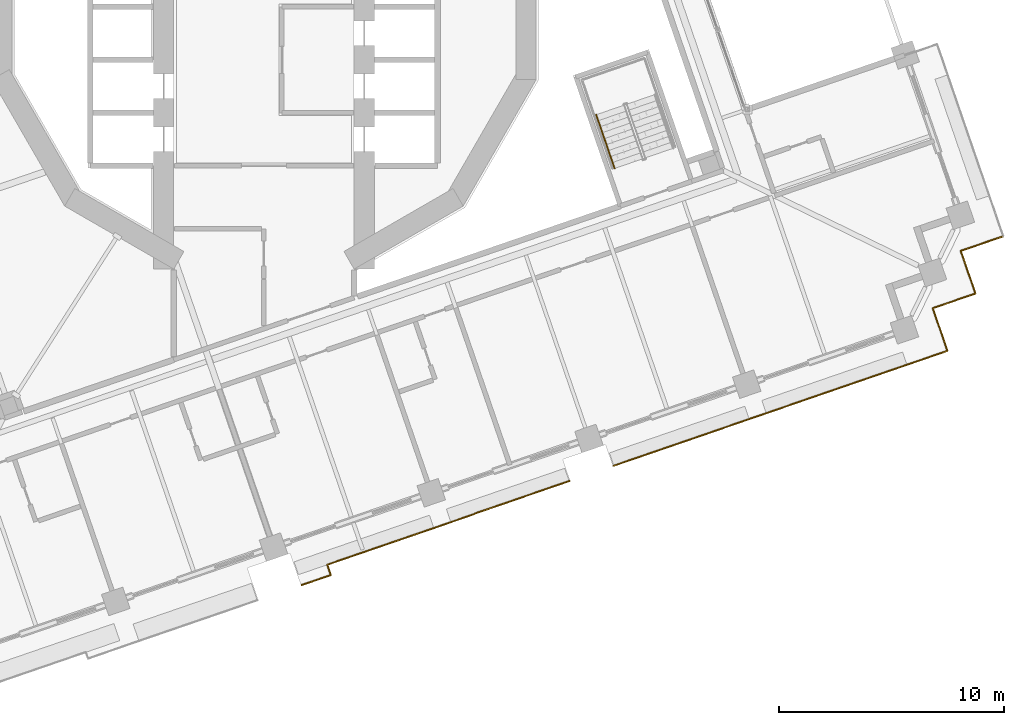
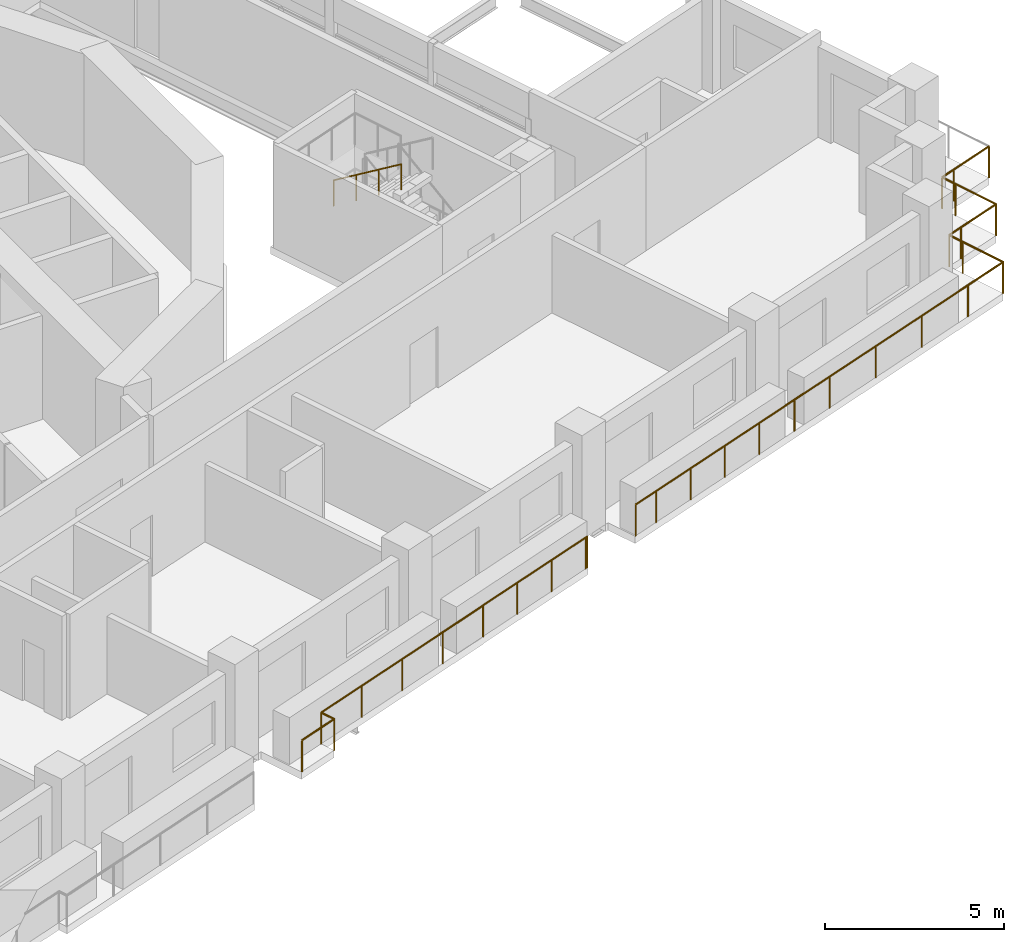
# One storey, part 17 of 21: 3 railings.
"""IFC4 building model written with IfcOpenShell, lengths in metres."""

import ifcopenshell
import ifcopenshell.guid

model = None  # the IFC model being written
_history = None  # IfcOwnerHistory: only IFC2X3 demands one
_inside = {}  # id of a spatial element -> (the spatial element, [elements in it])
_under = {}  # id of a project, library or spatial element -> (it, [spatial elements below it])
_declared = {}  # id of a project -> (the project, [libraries it declares])
_typed = {}  # id of a type object -> (the type object, [elements of that type])
_made_of = {}  # id of a material, layer set ... -> (it, [elements and type objects made of it])


def new_model(schema):
    """Start an empty IFC model of exactly this schema.

    Asked for "IFC4X3", IfcOpenShell would pick the latest addendum, in which some entities
    have other attributes; the version numbers below select the first issue.
    IFC2X3 requires an IfcOwnerHistory on every rooted entity: one is made here for all.
    """
    global model, _history
    if schema == "IFC4X3":
        model = ifcopenshell.file(schema_version=(4, 3, 0, 0))
    else:
        model = ifcopenshell.file(schema=schema)
    _inside.clear()
    _under.clear()
    _declared.clear()
    _typed.clear()
    _made_of.clear()
    _history = None
    if model.schema == "IFC2X3":
        org = make("IfcOrganization", Name="unknown")
        user = make(
            "IfcPersonAndOrganization",
            ThePerson=make("IfcPerson", FamilyName="unknown"),
            TheOrganization=org,
        )
        app = make(
            "IfcApplication",
            ApplicationDeveloper=org,
            Version="unknown",
            ApplicationFullName="unknown",
            ApplicationIdentifier="unknown",
        )
        _history = make(
            "IfcOwnerHistory",
            OwningUser=user,
            OwningApplication=app,
            ChangeAction="ADDED",
            CreationDate=0,
        )
    return model


def make(cls, **values):
    """One entity of the class cls with the attributes given. An attribute that is None is left unset."""
    return model.create_entity(
        cls, **{name: value for name, value in values.items() if value is not None}
    )


def rooted(cls, **values):
    """An entity with a GlobalId (a new one), such as an element, a storey or a relation."""
    return make(cls, GlobalId=ifcopenshell.guid.new(), OwnerHistory=_history, **values)


def si_unit(unit_type, name, prefix=None):
    """IfcSIUnit, for example si_unit("LENGTHUNIT", "METRE", prefix="MILLI")."""
    return make("IfcSIUnit", UnitType=unit_type, Prefix=prefix, Name=name)


def assignment(units):
    """IfcUnitAssignment: the units of a project."""
    return None if units is None else make("IfcUnitAssignment", Units=units)


def point(xyz):
    """IfcCartesianPoint."""
    return None if xyz is None else make("IfcCartesianPoint", Coordinates=xyz)


def direction(xyz):
    """IfcDirection."""
    return None if xyz is None else make("IfcDirection", DirectionRatios=xyz)


def frame(location, z_axis=None, x_axis=None):
    """IfcAxis2Placement3D, a coordinate frame: its origin and axes. An axis left out is left unset."""
    return make(
        "IfcAxis2Placement3D",
        Location=point(location),
        Axis=direction(z_axis),
        RefDirection=direction(x_axis),
    )


def frame_2d(location, x_axis=None):
    """IfcAxis2Placement2D, a coordinate frame in the plane: its origin and x axis."""
    return make(
        "IfcAxis2Placement2D", Location=point(location), RefDirection=direction(x_axis)
    )


def origin():
    """The frame at (0, 0, 0) with its axes left unset."""
    return frame((0.0, 0.0, 0.0))


def origin_2d():
    """The frame at (0, 0) in the plane with its x axis left unset."""
    return frame_2d((0.0, 0.0))


def place(relative_to, where):
    """IfcLocalPlacement: puts the frame where relative to a parent placement (None: the world)."""
    return make(
        "IfcLocalPlacement", PlacementRelTo=relative_to, RelativePlacement=where
    )


def context(
    kind, dimensions, precision=None, world=None, true_north=None, identifier=None
):
    """IfcGeometricRepresentationContext, for example the 3D "Model" context."""
    return make(
        "IfcGeometricRepresentationContext",
        ContextIdentifier=identifier,
        ContextType=kind,
        CoordinateSpaceDimension=dimensions,
        Precision=precision,
        WorldCoordinateSystem=world,
        TrueNorth=true_north,
    )


def subcontext(parent, identifier, kind, view, scale=None):
    """IfcGeometricRepresentationSubContext, for example "Body" below "Model"."""
    return make(
        "IfcGeometricRepresentationSubContext",
        ContextIdentifier=identifier,
        ContextType=kind,
        ParentContext=parent,
        TargetScale=scale,
        TargetView=view,
    )


def project(units=None, contexts=None):
    """IfcProject with its units and contexts."""
    return rooted(
        "IfcProject",
        Name="project",
        RepresentationContexts=contexts,
        UnitsInContext=assignment(units),
    )


def spatial(cls, under=None, at=None, **own):
    """A site, building, storey or space (cls), placed at a placement, below another one or the project."""
    s = rooted(cls, ObjectPlacement=at, **own)
    if under is not None:
        _under.setdefault(under.id(), (under, []))[1].append(s)
    return s


def profile(cls, at=None, kind="AREA", **sizes):
    """A parametric profile (cls). Its sizes go by their IFC names, for example OverallWidth=200.0."""
    return make(cls, ProfileType=kind, Position=at, **sizes)


def circle(**sizes):
    """IfcCircleProfileDef."""
    return profile("IfcCircleProfileDef", **sizes)


def extrude(swept, where, along, depth):
    """IfcExtrudedAreaSolid: the profile swept, set in the frame where, extruded along a direction by depth."""
    return make(
        "IfcExtrudedAreaSolid",
        SweptArea=swept,
        Position=where,
        ExtrudedDirection=direction(along),
        Depth=depth,
    )


def shape(context_of_items, identifier, shape_type, items):
    """IfcShapeRepresentation: the items that make up one representation, for example the "Body"."""
    return make(
        "IfcShapeRepresentation",
        ContextOfItems=context_of_items,
        RepresentationIdentifier=identifier,
        RepresentationType=shape_type,
        Items=items,
    )


def material(Name=None, Category=None):
    """IfcMaterial."""
    return make("IfcMaterial", Name=Name, Category=Category)


def made_of(thing, what):
    """Note that an element or type object is made of a material, layer set ...; save() writes the relation."""
    if what is not None:
        _made_of.setdefault(what.id(), (what, []))[1].append(thing)
    return thing


def type_object(cls, material=None, **own):
    """A type object (cls), such as IfcWallType, which elements share."""
    return made_of(rooted(cls, **own), material)


def element(
    cls,
    number,
    at=None,
    inside=None,
    cuts=None,
    type_object=None,
    material=None,
    context=None,
    identifier="Body",
    shape_type=None,
    held_by="IfcProductDefinitionShape",
    body=None,
    shapes=None,
    **own,
):
    """One element of the class cls, such as IfcWall. Its Tag is "e" and its number.

    at: its placement. inside: the storey or other place that contains it. cuts: it is an
    opening in that element (IfcRelVoidsElement). A single representation is given by context,
    identifier, shape_type and body (its items); several are given by shapes. held_by: the class
    of the entity that holds the representations. save() writes the other relations.
    """
    e = rooted(cls, Tag="e%d" % number, ObjectPlacement=at, **own)
    if body is not None:
        shapes = [shape(context, identifier, shape_type, body)]
    if shapes is not None:
        e.Representation = make(held_by, Representations=shapes)
    if inside is not None:
        _inside.setdefault(inside.id(), (inside, []))[1].append(e)
    if cuts is not None:
        rooted(
            "IfcRelVoidsElement", RelatingBuildingElement=cuts, RelatedOpeningElement=e
        )
    if type_object is not None:
        _typed.setdefault(type_object.id(), (type_object, []))[1].append(e)
    return made_of(e, material)


def aggregate(whole, parts):
    """IfcRelAggregates: a whole, such as a stair, and the parts it consists of."""
    return rooted("IfcRelAggregates", RelatingObject=whole, RelatedObjects=parts)


def save(model, path):
    """Write the relations noted so far, then the file.

    IfcRelAggregates (storeys below a building ...), IfcRelContainedInSpatialStructure (elements
    in a storey), IfcRelDefinesByType, IfcRelAssociatesMaterial and IfcRelDeclares: one each for
    every whole, place, type object, material and project.
    """
    for whole, parts in _under.values():
        aggregate(whole, parts)
    for where, things in _inside.values():
        rooted(
            "IfcRelContainedInSpatialStructure",
            RelatedElements=things,
            RelatingStructure=where,
        )
    for kind, things in _typed.values():
        rooted("IfcRelDefinesByType", RelatedObjects=things, RelatingType=kind)
    for what, things in _made_of.values():
        rooted("IfcRelAssociatesMaterial", RelatedObjects=things, RelatingMaterial=what)
    for by, libraries in _declared.values():
        rooted("IfcRelDeclares", RelatingContext=by, RelatedDefinitions=libraries)
    model.write(path)


model = new_model("IFC4")

# Units and contexts
model_context = context("Model", 3, precision=1e-05, world=origin(), true_north=direction((0.0, 1.0)))
body_context = subcontext(model_context, "Body", "Model", "MODEL_VIEW")
ifc_project = project(units=[si_unit("LENGTHUNIT", "METRE"), si_unit("AREAUNIT", "SQUARE_METRE"), si_unit("VOLUMEUNIT", "CUBIC_METRE"), si_unit("PLANEANGLEUNIT", "RADIAN"), si_unit("MASSUNIT", "GRAM", prefix="KILO")], contexts=[model_context])

# Site, building, storey
site_placement = place(None, origin())
site = spatial("IfcSite", under=ifc_project, at=site_placement, CompositionType="ELEMENT")
building_placement = place(site_placement, origin())
building = spatial("IfcBuilding", under=site, at=building_placement, Name="Cantera Rosa Tower", CompositionType="ELEMENT")
storey_placement = place(building_placement, frame((0.0, 0.0, 119.300048828125)))
storey = spatial("IfcBuildingStorey", under=building, at=storey_placement, Name="L24", CompositionType="ELEMENT", Elevation=119.300048828125)

# Railings
ifc_material_1 = material(Name="Stainless steel and laminated glass", Category="steel")
railing_type_1 = type_object("IfcRailingType", Name="GUARD 1100", PredefinedType="BALUSTRADE", material=ifc_material_1)
railing_1_placement = place(storey_placement, frame((13.55615234375, -21.032470703125, 0.0)))
element("IfcRailing", 1, at=railing_1_placement, inside=storey, type_object=railing_type_1, Name="GUARD L24-8", PredefinedType="BALUSTRADE", context=body_context, shape_type="SweptSolid", body=[
    extrude(circle(Radius=0.030029296875, at=origin_2d()), frame((0.0, 0.0, 1.070068359375), z_axis=(-0.946220044844, -0.323523765333, 0.0), x_axis=(0.323523765333, -0.946220044844, 0.0)), (0.0, 0.0, 1.0), 0.070068359375),
    extrude(circle(Radius=0.030029296875, at=origin_2d()), frame((-0.06640625, -0.022705078125, 1.070068359375), z_axis=(-0.945513705783, -0.325582297087, 0.0), x_axis=(0.325582297087, -0.945513705783, 0.0)), (0.0, 0.0, 1.0), 4.38525390625),
    extrude(circle(Radius=0.030029296875, at=origin_2d()), frame((-4.212646484375, -1.450439453125, 1.070068359375), z_axis=(0.331087713029, -0.943599982133, 0.0), x_axis=(0.943599982133, 0.331087713029, 0.0)), (0.0, 0.0, 1.0), 0.0146484375),
    extrude(circle(Radius=0.030029296875, at=origin_2d()), frame((-4.207763671875, -1.46435546875, 1.070068359375), z_axis=(-0.945519949949, -0.32556416303, 0.0), x_axis=(0.32556416303, -0.945519949949, 0.0)), (0.0, 0.0, 1.0), 6.91552734375),
    extrude(circle(Radius=0.030029296875, at=origin_2d()), frame((-10.74658203125, -3.7158203125, 1.070068359375), z_axis=(0.325586807373, -0.94551215268, 0.0), x_axis=(0.94551215268, 0.325586807373, 0.0)), (0.0, 0.0, 1.0), 0.484375),
    extrude(circle(Radius=0.030029296875, at=origin_2d()), frame((-10.5888671875, -4.173828125, 1.070068359375), z_axis=(-0.94551689242, -0.325573042723, 0.0), x_axis=(0.325573042723, -0.94551689242, 0.0)), (0.0, 0.0, 1.0), 1.369384765625),
    extrude(circle(Radius=0.02490234375, at=origin_2d()), origin(), (0.0, 0.0, 1.0), 1.0400390625),
    extrude(circle(Radius=0.02490234375, at=origin_2d()), frame((-0.06640625, -0.022705078125, 0.0)), (0.0, 0.0, 1.0), 1.0400390625),
    extrude(circle(Radius=0.02490234375, at=origin_2d()), frame((-1.448486328125, -0.49853515625, 0.0)), (0.0, 0.0, 1.0), 1.0400390625),
    extrude(circle(Radius=0.02490234375, at=origin_2d()), frame((-2.83056640625, -0.974609375, 0.0)), (0.0, 0.0, 1.0), 1.0400390625),
    extrude(circle(Radius=0.02490234375, at=origin_2d()), frame((-4.212646484375, -1.450439453125, 0.0)), (0.0, 0.0, 1.0), 1.0400390625),
    extrude(circle(Radius=0.02490234375, at=origin_2d()), frame((-4.207763671875, -1.46435546875, 0.0)), (0.0, 0.0, 1.0), 1.0400390625),
    extrude(circle(Radius=0.02490234375, at=origin_2d()), frame((-5.842529296875, -2.02734375, 0.0)), (0.0, 0.0, 1.0), 1.0400390625),
    extrude(circle(Radius=0.02490234375, at=origin_2d()), frame((-7.47705078125, -2.590087890625, 0.0)), (0.0, 0.0, 1.0), 1.0400390625),
    extrude(circle(Radius=0.02490234375, at=origin_2d()), frame((-9.11181640625, -3.15283203125, 0.0)), (0.0, 0.0, 1.0), 1.0400390625),
    extrude(circle(Radius=0.02490234375, at=origin_2d()), frame((-10.74658203125, -3.7158203125, 0.0)), (0.0, 0.0, 1.0), 1.0400390625),
    extrude(circle(Radius=0.02490234375, at=origin_2d()), frame((-10.5888671875, -4.173828125, 0.0)), (0.0, 0.0, 1.0), 1.0400390625),
    extrude(circle(Radius=0.02490234375, at=origin_2d()), frame((-11.883544921875, -4.61962890625, 0.0)), (0.0, 0.0, 1.0), 1.0400390625),
])
railing_2_placement = place(storey_placement, frame((32.7998046875, -10.17578125, 0.0)))
element("IfcRailing", 2, at=railing_2_placement, inside=storey, type_object=railing_type_1, Name="GUARD L24-9", PredefinedType="BALUSTRADE", context=body_context, shape_type="SweptSolid", body=[
    extrude(circle(Radius=0.030029296875, at=origin_2d()), frame((0.0, 0.0, 1.070068359375), z_axis=(-0.945528551438, -0.325539181077, 0.0), x_axis=(0.325539181077, -0.945528551438, 0.0)), (0.0, 0.0, 1.0), 1.5),
    extrude(circle(Radius=0.030029296875, at=origin_2d()), frame((-1.418212890625, -0.48828125, 1.070068359375), z_axis=(-0.945461173218, -0.32573481536, 0.0), x_axis=(0.32573481536, -0.945461173218, 0.0)), (0.0, 0.0, 1.0), 0.5),
    extrude(circle(Radius=0.030029296875, at=origin_2d()), frame((-1.890869140625, -0.651123046875, 1.070068359375), z_axis=(0.325147989177, -0.945663145699, 0.0), x_axis=(0.945663145699, 0.325147989177, 0.0)), (0.0, 0.0, 1.0), 0.5),
    extrude(circle(Radius=0.030029296875, at=origin_2d()), frame((-1.728271484375, -1.1240234375, 1.070068359375), z_axis=(0.325684689469, -0.945478441343, 0.0), x_axis=(0.945478441343, 0.325684689469, 0.0)), (0.0, 0.0, 1.0), 1.5),
    extrude(circle(Radius=0.030029296875, at=origin_2d()), frame((-1.23974609375, -2.542236328125, 1.070068359375), z_axis=(-0.945545797087, -0.325489086777, 0.0), x_axis=(0.325489086777, -0.945545797087, 0.0)), (0.0, 0.0, 1.0), 1.500244140625),
    extrude(circle(Radius=0.030029296875, at=origin_2d()), frame((-2.658203125, -3.030517578125, 1.070068359375), z_axis=(-0.945461173218, -0.32573481536, 0.0), x_axis=(0.32573481536, -0.945461173218, 0.0)), (0.0, 0.0, 1.0), 0.5),
    extrude(circle(Radius=0.030029296875, at=origin_2d()), frame((-3.130859375, -3.193359375, 1.070068359375), z_axis=(0.32573481536, -0.945461173218, 0.0), x_axis=(0.945461173218, 0.32573481536, 0.0)), (0.0, 0.0, 1.0), 0.5),
    extrude(circle(Radius=0.030029296875, at=origin_2d()), frame((-2.968017578125, -3.666015625, 1.070068359375), z_axis=(0.325489086777, -0.945545797087, 0.0), x_axis=(0.945545797087, 0.325489086777, 0.0)), (0.0, 0.0, 1.0), 1.500244140625),
    extrude(circle(Radius=0.030029296875, at=origin_2d()), frame((-2.479736328125, -5.08447265625, 1.070068359375), z_axis=(-0.945528551438, -0.325539181077, 0.0), x_axis=(0.325539181077, -0.945528551438, 0.0)), (0.0, 0.0, 1.0), 1.5),
    extrude(circle(Radius=0.030029296875, at=origin_2d()), frame((-3.89794921875, -5.57275390625, 1.070068359375), z_axis=(-0.945517123015, -0.325572373037, 0.0), x_axis=(0.325572373037, -0.945517123015, 0.0)), (0.0, 0.0, 1.0), 5.900146484375),
    extrude(circle(Radius=0.030029296875, at=origin_2d()), frame((-9.4765625, -7.49365234375, 1.070068359375), z_axis=(-0.945528551438, -0.325539181077, 0.0), x_axis=(0.325539181077, -0.945528551438, 0.0)), (0.0, 0.0, 1.0), 2.999755859375),
    extrude(circle(Radius=0.030029296875, at=origin_2d()), frame((-12.31298828125, -8.47021484375, 1.070068359375), z_axis=(-0.945513227049, -0.325583687361, 0.0), x_axis=(0.325583687361, -0.945513227049, 0.0)), (0.0, 0.0, 1.0), 4.400146484375),
    extrude(circle(Radius=0.030029296875, at=origin_2d()), frame((-16.473388671875, -9.90283203125, 1.070068359375), z_axis=(-0.945522007901, -0.325558186158, 0.0), x_axis=(0.325558186158, -0.945522007901, 0.0)), (0.0, 0.0, 1.0), 0.869873046875),
    extrude(circle(Radius=0.02490234375, at=origin_2d()), origin(), (0.0, 0.0, 1.0), 1.0400390625),
    extrude(circle(Radius=0.02490234375, at=origin_2d()), frame((-1.418212890625, -0.48828125, 0.0)), (0.0, 0.0, 1.0), 1.0400390625),
    extrude(circle(Radius=0.02490234375, at=origin_2d()), frame((-1.890869140625, -0.651123046875, 0.0)), (0.0, 0.0, 1.0), 1.0400390625),
    extrude(circle(Radius=0.02490234375, at=origin_2d()), frame((-1.728271484375, -1.1240234375, 0.0)), (0.0, 0.0, 1.0), 1.0400390625),
    extrude(circle(Radius=0.02490234375, at=origin_2d()), frame((-1.23974609375, -2.542236328125, 0.0)), (0.0, 0.0, 1.0), 1.0400390625),
    extrude(circle(Radius=0.02490234375, at=origin_2d()), frame((-2.658203125, -3.030517578125, 0.0)), (0.0, 0.0, 1.0), 1.0400390625),
    extrude(circle(Radius=0.02490234375, at=origin_2d()), frame((-3.130859375, -3.193359375, 0.0)), (0.0, 0.0, 1.0), 1.0400390625),
    extrude(circle(Radius=0.02490234375, at=origin_2d()), frame((-2.968017578125, -3.666015625, 0.0)), (0.0, 0.0, 1.0), 1.0400390625),
    extrude(circle(Radius=0.02490234375, at=origin_2d()), frame((-2.479736328125, -5.08447265625, 0.0)), (0.0, 0.0, 1.0), 1.0400390625),
    extrude(circle(Radius=0.02490234375, at=origin_2d()), frame((-3.89794921875, -5.57275390625, 0.0)), (0.0, 0.0, 1.0), 1.0400390625),
    extrude(circle(Radius=0.02490234375, at=origin_2d()), frame((-5.757568359375, -6.213134765625, 0.0)), (0.0, 0.0, 1.0), 1.0400390625),
    extrude(circle(Radius=0.02490234375, at=origin_2d()), frame((-7.616943359375, -6.853271484375, 0.0)), (0.0, 0.0, 1.0), 1.0400390625),
    extrude(circle(Radius=0.02490234375, at=origin_2d()), frame((-9.4765625, -7.49365234375, 0.0)), (0.0, 0.0, 1.0), 1.0400390625),
    extrude(circle(Radius=0.02490234375, at=origin_2d()), frame((-10.894775390625, -7.98193359375, 0.0)), (0.0, 0.0, 1.0), 1.0400390625),
    extrude(circle(Radius=0.02490234375, at=origin_2d()), frame((-12.31298828125, -8.47021484375, 0.0)), (0.0, 0.0, 1.0), 1.0400390625),
    extrude(circle(Radius=0.02490234375, at=origin_2d()), frame((-13.69970703125, -8.94775390625, 0.0)), (0.0, 0.0, 1.0), 1.0400390625),
    extrude(circle(Radius=0.02490234375, at=origin_2d()), frame((-15.086669921875, -9.42529296875, 0.0)), (0.0, 0.0, 1.0), 1.0400390625),
    extrude(circle(Radius=0.02490234375, at=origin_2d()), frame((-16.473388671875, -9.90283203125, 0.0)), (0.0, 0.0, 1.0), 1.0400390625),
    extrude(circle(Radius=0.02490234375, at=origin_2d()), frame((-17.2958984375, -10.18603515625, 0.0)), (0.0, 0.0, 1.0), 1.0400390625),
])
ifc_material_2 = material(Name="Steel S355J2 (EN 10025-2)", Category="steel")
railing_type_2 = type_object("IfcRailingType", Name="STAIR HANDRAIL 900", PredefinedType="HANDRAIL", material=ifc_material_2)
railing_3_placement = place(storey_placement, frame((14.7353515625, -4.78857421875, 2.08984375)))
element("IfcRailing", 3, at=railing_3_placement, inside=storey, type_object=railing_type_2, Name="L24 ST-23 stair handrail 2", PredefinedType="HANDRAIL", context=body_context, shape_type="SweptSolid", body=[
    extrude(circle(Radius=0.02392578125, at=origin_2d()), frame((0.0, 0.0, 0.8759765625), z_axis=(0.269345946519, -0.782385844651, 0.561538201002), x_axis=(0.945537585866, 0.325512939397, 0.0)), (0.0, 0.0, 1.0), 3.045654296875),
    extrude(circle(Radius=0.02099609375, at=origin_2d()), origin(), (0.0, 0.0, 1.0), 0.851806640625),
    extrude(circle(Radius=0.02099609375, at=origin_2d()), frame((0.2734375, -0.794189453125, 0.570068359375)), (0.0, 0.0, 1.0), 0.851806640625),
    extrude(circle(Radius=0.02099609375, at=origin_2d()), frame((0.546875, -1.588623046875, 1.14013671875)), (0.0, 0.0, 1.0), 0.851806640625),
    extrude(circle(Radius=0.02099609375, at=origin_2d()), frame((0.8203125, -2.3828125, 1.710205078125)), (0.0, 0.0, 1.0), 0.851806640625),
])

save(model, "model.ifc")
